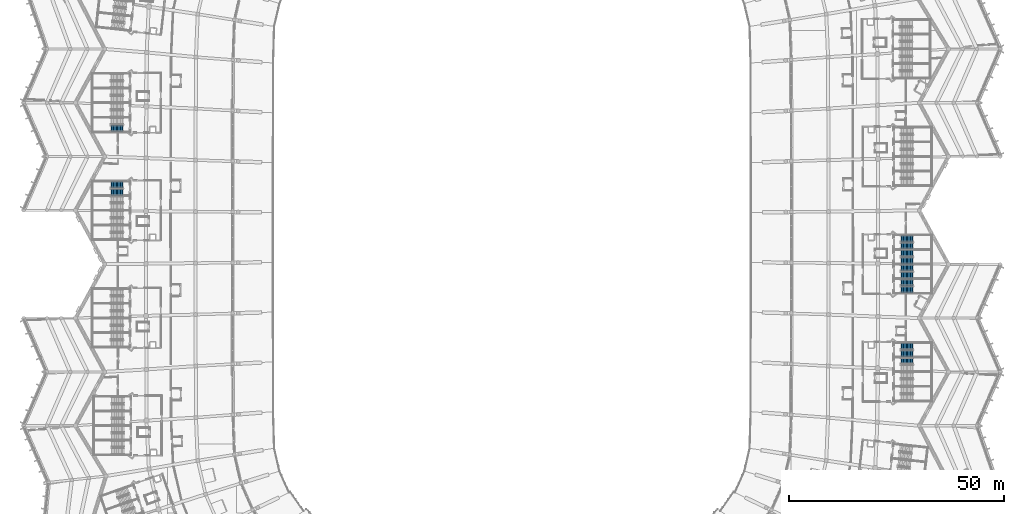
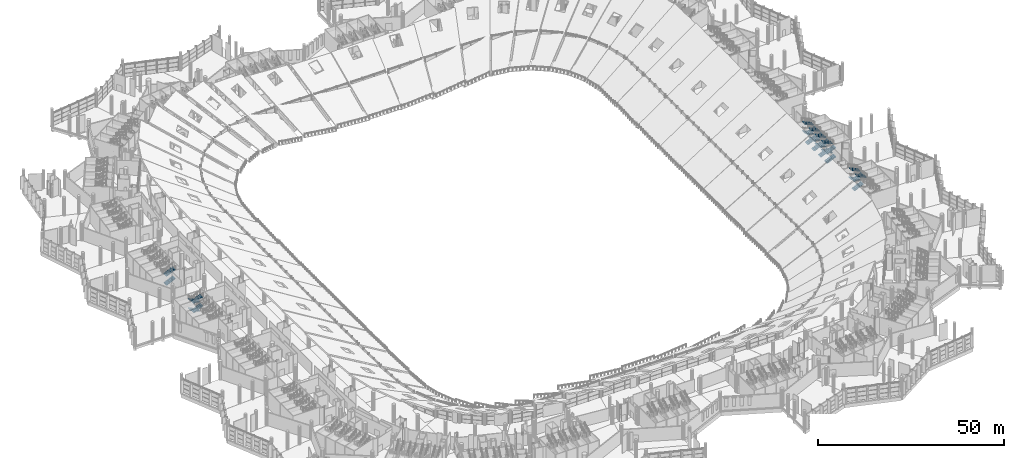
# One storey, part 190 of 249: 27 stair flights, 8 elements without a shape of their own.
"""IFC4 building model written with IfcOpenShell, lengths in metres."""

from ifc_helpers import new_model, si_unit, direction, frame, origin, place, context, subcontext, project, spatial, polyline, outline, extrude, material, type_object, element, aggregate, save


model = new_model("IFC4")

# Units and contexts
model_context = context("Model", 3, precision=1e-05, world=origin(), true_north=direction((0.0, 1.0)))
body_context = subcontext(model_context, "Body", "Model", "MODEL_VIEW")
ifc_project = project(units=[si_unit("LENGTHUNIT", "METRE"), si_unit("AREAUNIT", "SQUARE_METRE"), si_unit("VOLUMEUNIT", "CUBIC_METRE"), si_unit("PLANEANGLEUNIT", "RADIAN"), si_unit("MASSUNIT", "GRAM", prefix="KILO")], contexts=[model_context])

# Site, building, storey
site_placement = place(None, origin())
site = spatial("IfcSite", under=ifc_project, at=site_placement, CompositionType="ELEMENT")
building_placement = place(site_placement, origin())
building = spatial("IfcBuilding", under=site, at=building_placement, Name="Meseta Stadium", CompositionType="ELEMENT")
storey_placement = place(building_placement, frame((0.0, 0.0, 12.0)))
storey = spatial("IfcBuildingStorey", under=building, at=storey_placement, Name="L02", CompositionType="ELEMENT", Elevation=12.0)

# Stair, stair flight
ifc_material_1 = material(Name="Concrete C40/50", Category="concrete")
stair_type = type_object("IfcStairType", Name="Exit stair 4 flights 150 mm risers", PredefinedType="HALF_TURN_STAIR", material=ifc_material_1)
stair_1_placement = place(storey_placement, origin())
stair_1 = element("IfcStair", 1, at=stair_1_placement, inside=storey, type_object=stair_type, Name="ST7 L02", PredefinedType="HALF_TURN_STAIR")
ifc_material_2 = material(Name="Concrete C40/50", Category="concrete")
stair_flight_type = type_object("IfcStairFlightType", Name="Exit stair flight 150 mm risers, 4 per storey", PredefinedType="STRAIGHT", material=ifc_material_2)
stair_flight_1_placement = place(storey_placement, frame((93.179931640625, -28.699951171875, 4.5), z_axis=(0.0, 0.0, 1.0), x_axis=(-1.0, 0.0, 0.0)))
stair_flight_1 = element("IfcStairFlight", 2, at=stair_flight_1_placement, type_object=stair_flight_type, Name="ST7 L02 flight 4", NumberOfRisers=10, NumberOfTreads=9, PredefinedType="STRAIGHT", RiserHeight=0.15, TreadLength=0.32, context=body_context, shape_type="SweptSolid", body=[
    extrude(outline(polyline([(0.0, 0.0), (0.0, 0.14990234375), (0.320068359375, 0.14990234375), (0.320068359375, 0.300048828125), (0.639892578125, 0.300048828125), (0.639892578125, 0.449951171875), (0.9599609375, 0.449951171875), (0.9599609375, 0.60009765625), (1.280029296875, 0.60009765625), (1.280029296875, 0.75), (1.60009765625, 0.75), (1.60009765625, 0.89990234375), (1.919921875, 0.89990234375), (1.919921875, 1.050048828125), (2.239990234375, 1.050048828125), (2.239990234375, 1.199951171875), (2.56005859375, 1.199951171875), (2.56005859375, 1.35009765625), (2.8798828125, 1.35009765625), (2.8798828125, 1.184326171875), (0.353271484375, 0.0), (0.0, 0.0)])), frame((0.0, 0.75, 0.0), z_axis=(0.0, -1.0, 0.0), x_axis=(1.0, 0.0, 0.0)), (0.0, 0.0, 1.0), 1.5),
])
aggregate(stair_1, [stair_flight_1])

# Stair, stair flights
stair_2_placement = place(storey_placement, origin())
stair_2 = element("IfcStair", 3, at=stair_2_placement, inside=storey, type_object=stair_type, Name="ST8 L02", PredefinedType="HALF_TURN_STAIR")
stair_flight_2_placement = place(storey_placement, frame((90.300048828125, -27.0, 0.0), z_axis=(0.0, 0.0, 1.0), x_axis=(1.0, 0.0, 0.0)))
stair_flight_2 = element("IfcStairFlight", 4, at=stair_flight_2_placement, type_object=stair_flight_type, Name="ST8 L02 flight 1", NumberOfRisers=10, NumberOfTreads=9, PredefinedType="STRAIGHT", RiserHeight=0.15, TreadLength=0.32, context=body_context, shape_type="SweptSolid", body=[
    extrude(outline(polyline([(0.0, 0.0), (0.0, 0.14990234375), (0.320068359375, 0.14990234375), (0.320068359375, 0.300048828125), (0.639892578125, 0.300048828125), (0.639892578125, 0.449951171875), (0.9599609375, 0.449951171875), (0.9599609375, 0.60009765625), (1.280029296875, 0.60009765625), (1.280029296875, 0.75), (1.60009765625, 0.75), (1.60009765625, 0.89990234375), (1.919921875, 0.89990234375), (1.919921875, 1.050048828125), (2.239990234375, 1.050048828125), (2.239990234375, 1.199951171875), (2.56005859375, 1.199951171875), (2.56005859375, 1.35009765625), (2.8798828125, 1.35009765625), (2.8798828125, 1.184326171875), (0.353271484375, 0.0), (0.0, 0.0)])), frame((0.0, 0.75, 0.0), z_axis=(0.0, -1.0, 0.0), x_axis=(1.0, 0.0, 0.0)), (0.0, 0.0, 1.0), 1.5),
])
stair_flight_3_placement = place(storey_placement, frame((93.179931640625, -25.300048828125, 1.5), z_axis=(0.0, 0.0, 1.0), x_axis=(-1.0, 0.0, 0.0)))
stair_flight_3 = element("IfcStairFlight", 5, at=stair_flight_3_placement, type_object=stair_flight_type, Name="ST8 L02 flight 2", NumberOfRisers=10, NumberOfTreads=9, PredefinedType="STRAIGHT", RiserHeight=0.15, TreadLength=0.32, context=body_context, shape_type="SweptSolid", body=[
    extrude(outline(polyline([(0.0, 0.0), (0.0, 0.14990234375), (0.320068359375, 0.14990234375), (0.320068359375, 0.300048828125), (0.639892578125, 0.300048828125), (0.639892578125, 0.449951171875), (0.9599609375, 0.449951171875), (0.9599609375, 0.60009765625), (1.280029296875, 0.60009765625), (1.280029296875, 0.75), (1.60009765625, 0.75), (1.60009765625, 0.89990234375), (1.919921875, 0.89990234375), (1.919921875, 1.050048828125), (2.239990234375, 1.050048828125), (2.239990234375, 1.199951171875), (2.56005859375, 1.199951171875), (2.56005859375, 1.35009765625), (2.8798828125, 1.35009765625), (2.8798828125, 1.184326171875), (0.353271484375, 0.0), (0.0, 0.0)])), frame((0.0, 0.75, 0.0), z_axis=(0.0, -1.0, 0.0), x_axis=(1.0, 0.0, 0.0)), (0.0, 0.0, 1.0), 1.5),
])
stair_flight_4_placement = place(storey_placement, frame((90.300048828125, -27.0, 3.0), z_axis=(0.0, 0.0, 1.0), x_axis=(1.0, 0.0, 0.0)))
stair_flight_4 = element("IfcStairFlight", 6, at=stair_flight_4_placement, type_object=stair_flight_type, Name="ST8 L02 flight 3", NumberOfRisers=10, NumberOfTreads=9, PredefinedType="STRAIGHT", RiserHeight=0.15, TreadLength=0.32, context=body_context, shape_type="SweptSolid", body=[
    extrude(outline(polyline([(0.0, 0.0), (0.0, 0.14990234375), (0.320068359375, 0.14990234375), (0.320068359375, 0.300048828125), (0.639892578125, 0.300048828125), (0.639892578125, 0.449951171875), (0.9599609375, 0.449951171875), (0.9599609375, 0.60009765625), (1.280029296875, 0.60009765625), (1.280029296875, 0.75), (1.60009765625, 0.75), (1.60009765625, 0.89990234375), (1.919921875, 0.89990234375), (1.919921875, 1.050048828125), (2.239990234375, 1.050048828125), (2.239990234375, 1.199951171875), (2.56005859375, 1.199951171875), (2.56005859375, 1.35009765625), (2.8798828125, 1.35009765625), (2.8798828125, 1.184326171875), (0.353271484375, 0.0), (0.0, 0.0)])), frame((0.0, 0.75, 0.0), z_axis=(0.0, -1.0, 0.0), x_axis=(1.0, 0.0, 0.0)), (0.0, 0.0, 1.0), 1.5),
])
stair_flight_5_placement = place(storey_placement, frame((93.179931640625, -25.300048828125, 4.5), z_axis=(0.0, 0.0, 1.0), x_axis=(-1.0, 0.0, 0.0)))
stair_flight_5 = element("IfcStairFlight", 7, at=stair_flight_5_placement, type_object=stair_flight_type, Name="ST8 L02 flight 4", NumberOfRisers=10, NumberOfTreads=9, PredefinedType="STRAIGHT", RiserHeight=0.15, TreadLength=0.32, context=body_context, shape_type="SweptSolid", body=[
    extrude(outline(polyline([(0.0, 0.0), (0.0, 0.14990234375), (0.320068359375, 0.14990234375), (0.320068359375, 0.300048828125), (0.639892578125, 0.300048828125), (0.639892578125, 0.449951171875), (0.9599609375, 0.449951171875), (0.9599609375, 0.60009765625), (1.280029296875, 0.60009765625), (1.280029296875, 0.75), (1.60009765625, 0.75), (1.60009765625, 0.89990234375), (1.919921875, 0.89990234375), (1.919921875, 1.050048828125), (2.239990234375, 1.050048828125), (2.239990234375, 1.199951171875), (2.56005859375, 1.199951171875), (2.56005859375, 1.35009765625), (2.8798828125, 1.35009765625), (2.8798828125, 1.184326171875), (0.353271484375, 0.0), (0.0, 0.0)])), frame((0.0, 0.75, 0.0), z_axis=(0.0, -1.0, 0.0), x_axis=(1.0, 0.0, 0.0)), (0.0, 0.0, 1.0), 1.5),
])
aggregate(stair_2, [stair_flight_2, stair_flight_3, stair_flight_4, stair_flight_5])

stair_3_placement = place(storey_placement, origin())
stair_3 = element("IfcStair", 8, at=stair_3_placement, inside=storey, type_object=stair_type, Name="ST9 L02", PredefinedType="HALF_TURN_STAIR")
stair_flight_6_placement = place(storey_placement, frame((90.300048828125, -12.199951171875, 0.0), z_axis=(0.0, 0.0, 1.0), x_axis=(1.0, 0.0, 0.0)))
stair_flight_6 = element("IfcStairFlight", 9, at=stair_flight_6_placement, type_object=stair_flight_type, Name="ST9 L02 flight 1", NumberOfRisers=10, NumberOfTreads=9, PredefinedType="STRAIGHT", RiserHeight=0.15, TreadLength=0.32, context=body_context, shape_type="SweptSolid", body=[
    extrude(outline(polyline([(0.0, 0.0), (0.0, 0.14990234375), (0.320068359375, 0.14990234375), (0.320068359375, 0.300048828125), (0.639892578125, 0.300048828125), (0.639892578125, 0.449951171875), (0.9599609375, 0.449951171875), (0.9599609375, 0.60009765625), (1.280029296875, 0.60009765625), (1.280029296875, 0.75), (1.60009765625, 0.75), (1.60009765625, 0.89990234375), (1.919921875, 0.89990234375), (1.919921875, 1.050048828125), (2.239990234375, 1.050048828125), (2.239990234375, 1.199951171875), (2.56005859375, 1.199951171875), (2.56005859375, 1.35009765625), (2.8798828125, 1.35009765625), (2.8798828125, 1.184326171875), (0.353271484375, 0.0), (0.0, 0.0)])), frame((0.0, 0.75, 0.0), z_axis=(0.0, -1.0, 0.0), x_axis=(1.0, 0.0, 0.0)), (0.0, 0.0, 1.0), 1.5),
])
stair_flight_7_placement = place(storey_placement, frame((93.179931640625, -10.5, 1.5), z_axis=(0.0, 0.0, 1.0), x_axis=(-1.0, 0.0, 0.0)))
stair_flight_7 = element("IfcStairFlight", 10, at=stair_flight_7_placement, type_object=stair_flight_type, Name="ST9 L02 flight 2", NumberOfRisers=10, NumberOfTreads=9, PredefinedType="STRAIGHT", RiserHeight=0.15, TreadLength=0.32, context=body_context, shape_type="SweptSolid", body=[
    extrude(outline(polyline([(0.0, 0.0), (0.0, 0.14990234375), (0.320068359375, 0.14990234375), (0.320068359375, 0.300048828125), (0.639892578125, 0.300048828125), (0.639892578125, 0.449951171875), (0.9599609375, 0.449951171875), (0.9599609375, 0.60009765625), (1.280029296875, 0.60009765625), (1.280029296875, 0.75), (1.60009765625, 0.75), (1.60009765625, 0.89990234375), (1.919921875, 0.89990234375), (1.919921875, 1.050048828125), (2.239990234375, 1.050048828125), (2.239990234375, 1.199951171875), (2.56005859375, 1.199951171875), (2.56005859375, 1.35009765625), (2.8798828125, 1.35009765625), (2.8798828125, 1.184326171875), (0.353271484375, 0.0), (0.0, 0.0)])), frame((0.0, 0.75, 0.0), z_axis=(0.0, -1.0, 0.0), x_axis=(1.0, 0.0, 0.0)), (0.0, 0.0, 1.0), 1.5),
])
stair_flight_8_placement = place(storey_placement, frame((90.300048828125, -12.199951171875, 3.0), z_axis=(0.0, 0.0, 1.0), x_axis=(1.0, 0.0, 0.0)))
stair_flight_8 = element("IfcStairFlight", 11, at=stair_flight_8_placement, type_object=stair_flight_type, Name="ST9 L02 flight 3", NumberOfRisers=10, NumberOfTreads=9, PredefinedType="STRAIGHT", RiserHeight=0.15, TreadLength=0.32, context=body_context, shape_type="SweptSolid", body=[
    extrude(outline(polyline([(0.0, 0.0), (0.0, 0.14990234375), (0.320068359375, 0.14990234375), (0.320068359375, 0.300048828125), (0.639892578125, 0.300048828125), (0.639892578125, 0.449951171875), (0.9599609375, 0.449951171875), (0.9599609375, 0.60009765625), (1.280029296875, 0.60009765625), (1.280029296875, 0.75), (1.60009765625, 0.75), (1.60009765625, 0.89990234375), (1.919921875, 0.89990234375), (1.919921875, 1.050048828125), (2.239990234375, 1.050048828125), (2.239990234375, 1.199951171875), (2.56005859375, 1.199951171875), (2.56005859375, 1.35009765625), (2.8798828125, 1.35009765625), (2.8798828125, 1.184326171875), (0.353271484375, 0.0), (0.0, 0.0)])), frame((0.0, 0.75, 0.0), z_axis=(0.0, -1.0, 0.0), x_axis=(1.0, 0.0, 0.0)), (0.0, 0.0, 1.0), 1.5),
])
stair_flight_9_placement = place(storey_placement, frame((93.179931640625, -10.5, 4.5), z_axis=(0.0, 0.0, 1.0), x_axis=(-1.0, 0.0, 0.0)))
stair_flight_9 = element("IfcStairFlight", 12, at=stair_flight_9_placement, type_object=stair_flight_type, Name="ST9 L02 flight 4", NumberOfRisers=10, NumberOfTreads=9, PredefinedType="STRAIGHT", RiserHeight=0.15, TreadLength=0.32, context=body_context, shape_type="SweptSolid", body=[
    extrude(outline(polyline([(0.0, 0.0), (0.0, 0.14990234375), (0.320068359375, 0.14990234375), (0.320068359375, 0.300048828125), (0.639892578125, 0.300048828125), (0.639892578125, 0.449951171875), (0.9599609375, 0.449951171875), (0.9599609375, 0.60009765625), (1.280029296875, 0.60009765625), (1.280029296875, 0.75), (1.60009765625, 0.75), (1.60009765625, 0.89990234375), (1.919921875, 0.89990234375), (1.919921875, 1.050048828125), (2.239990234375, 1.050048828125), (2.239990234375, 1.199951171875), (2.56005859375, 1.199951171875), (2.56005859375, 1.35009765625), (2.8798828125, 1.35009765625), (2.8798828125, 1.184326171875), (0.353271484375, 0.0), (0.0, 0.0)])), frame((0.0, 0.75, 0.0), z_axis=(0.0, -1.0, 0.0), x_axis=(1.0, 0.0, 0.0)), (0.0, 0.0, 1.0), 1.5),
])
aggregate(stair_3, [stair_flight_6, stair_flight_7, stair_flight_8, stair_flight_9])

stair_4_placement = place(storey_placement, origin())
stair_4 = element("IfcStair", 13, at=stair_4_placement, inside=storey, type_object=stair_type, Name="ST10 L02", PredefinedType="HALF_TURN_STAIR")
stair_flight_10_placement = place(storey_placement, frame((90.300048828125, -8.800048828125, 0.0), z_axis=(0.0, 0.0, 1.0), x_axis=(1.0, 0.0, 0.0)))
stair_flight_10 = element("IfcStairFlight", 14, at=stair_flight_10_placement, type_object=stair_flight_type, Name="ST10 L02 flight 1", NumberOfRisers=10, NumberOfTreads=9, PredefinedType="STRAIGHT", RiserHeight=0.15, TreadLength=0.32, context=body_context, shape_type="SweptSolid", body=[
    extrude(outline(polyline([(0.0, 0.0), (0.0, 0.14990234375), (0.320068359375, 0.14990234375), (0.320068359375, 0.300048828125), (0.639892578125, 0.300048828125), (0.639892578125, 0.449951171875), (0.9599609375, 0.449951171875), (0.9599609375, 0.60009765625), (1.280029296875, 0.60009765625), (1.280029296875, 0.75), (1.60009765625, 0.75), (1.60009765625, 0.89990234375), (1.919921875, 0.89990234375), (1.919921875, 1.050048828125), (2.239990234375, 1.050048828125), (2.239990234375, 1.199951171875), (2.56005859375, 1.199951171875), (2.56005859375, 1.35009765625), (2.8798828125, 1.35009765625), (2.8798828125, 1.184326171875), (0.353271484375, 0.0), (0.0, 0.0)])), frame((0.0, 0.75, 0.0), z_axis=(0.0, -1.0, 0.0), x_axis=(1.0, 0.0, 0.0)), (0.0, 0.0, 1.0), 1.5),
])
stair_flight_11_placement = place(storey_placement, frame((93.179931640625, -7.10009765625, 1.5), z_axis=(0.0, 0.0, 1.0), x_axis=(-1.0, 0.0, 0.0)))
stair_flight_11 = element("IfcStairFlight", 15, at=stair_flight_11_placement, type_object=stair_flight_type, Name="ST10 L02 flight 2", NumberOfRisers=10, NumberOfTreads=9, PredefinedType="STRAIGHT", RiserHeight=0.15, TreadLength=0.32, context=body_context, shape_type="SweptSolid", body=[
    extrude(outline(polyline([(0.0, 0.0), (0.0, 0.14990234375), (0.320068359375, 0.14990234375), (0.320068359375, 0.300048828125), (0.639892578125, 0.300048828125), (0.639892578125, 0.449951171875), (0.9599609375, 0.449951171875), (0.9599609375, 0.60009765625), (1.280029296875, 0.60009765625), (1.280029296875, 0.75), (1.60009765625, 0.75), (1.60009765625, 0.89990234375), (1.919921875, 0.89990234375), (1.919921875, 1.050048828125), (2.239990234375, 1.050048828125), (2.239990234375, 1.199951171875), (2.56005859375, 1.199951171875), (2.56005859375, 1.35009765625), (2.8798828125, 1.35009765625), (2.8798828125, 1.184326171875), (0.353271484375, 0.0), (0.0, 0.0)])), frame((0.0, 0.75, 0.0), z_axis=(0.0, -1.0, 0.0), x_axis=(1.0, 0.0, 0.0)), (0.0, 0.0, 1.0), 1.5),
])
stair_flight_12_placement = place(storey_placement, frame((90.300048828125, -8.800048828125, 3.0), z_axis=(0.0, 0.0, 1.0), x_axis=(1.0, 0.0, 0.0)))
stair_flight_12 = element("IfcStairFlight", 16, at=stair_flight_12_placement, type_object=stair_flight_type, Name="ST10 L02 flight 3", NumberOfRisers=10, NumberOfTreads=9, PredefinedType="STRAIGHT", RiserHeight=0.15, TreadLength=0.32, context=body_context, shape_type="SweptSolid", body=[
    extrude(outline(polyline([(0.0, 0.0), (0.0, 0.14990234375), (0.320068359375, 0.14990234375), (0.320068359375, 0.300048828125), (0.639892578125, 0.300048828125), (0.639892578125, 0.449951171875), (0.9599609375, 0.449951171875), (0.9599609375, 0.60009765625), (1.280029296875, 0.60009765625), (1.280029296875, 0.75), (1.60009765625, 0.75), (1.60009765625, 0.89990234375), (1.919921875, 0.89990234375), (1.919921875, 1.050048828125), (2.239990234375, 1.050048828125), (2.239990234375, 1.199951171875), (2.56005859375, 1.199951171875), (2.56005859375, 1.35009765625), (2.8798828125, 1.35009765625), (2.8798828125, 1.184326171875), (0.353271484375, 0.0), (0.0, 0.0)])), frame((0.0, 0.75, 0.0), z_axis=(0.0, -1.0, 0.0), x_axis=(1.0, 0.0, 0.0)), (0.0, 0.0, 1.0), 1.5),
])
stair_flight_13_placement = place(storey_placement, frame((93.179931640625, -7.10009765625, 4.5), z_axis=(0.0, 0.0, 1.0), x_axis=(-1.0, 0.0, 0.0)))
stair_flight_13 = element("IfcStairFlight", 17, at=stair_flight_13_placement, type_object=stair_flight_type, Name="ST10 L02 flight 4", NumberOfRisers=10, NumberOfTreads=9, PredefinedType="STRAIGHT", RiserHeight=0.15, TreadLength=0.32, context=body_context, shape_type="SweptSolid", body=[
    extrude(outline(polyline([(0.0, 0.0), (0.0, 0.14990234375), (0.320068359375, 0.14990234375), (0.320068359375, 0.300048828125), (0.639892578125, 0.300048828125), (0.639892578125, 0.449951171875), (0.9599609375, 0.449951171875), (0.9599609375, 0.60009765625), (1.280029296875, 0.60009765625), (1.280029296875, 0.75), (1.60009765625, 0.75), (1.60009765625, 0.89990234375), (1.919921875, 0.89990234375), (1.919921875, 1.050048828125), (2.239990234375, 1.050048828125), (2.239990234375, 1.199951171875), (2.56005859375, 1.199951171875), (2.56005859375, 1.35009765625), (2.8798828125, 1.35009765625), (2.8798828125, 1.184326171875), (0.353271484375, 0.0), (0.0, 0.0)])), frame((0.0, 0.75, 0.0), z_axis=(0.0, -1.0, 0.0), x_axis=(1.0, 0.0, 0.0)), (0.0, 0.0, 1.0), 1.5),
])
aggregate(stair_4, [stair_flight_10, stair_flight_11, stair_flight_12, stair_flight_13])

stair_5_placement = place(storey_placement, origin())
stair_5 = element("IfcStair", 18, at=stair_5_placement, inside=storey, type_object=stair_type, Name="ST11 L02", PredefinedType="HALF_TURN_STAIR")
stair_flight_14_placement = place(storey_placement, frame((90.300048828125, -5.39990234375, 0.0), z_axis=(0.0, 0.0, 1.0), x_axis=(1.0, 0.0, 0.0)))
stair_flight_14 = element("IfcStairFlight", 19, at=stair_flight_14_placement, type_object=stair_flight_type, Name="ST11 L02 flight 1", NumberOfRisers=10, NumberOfTreads=9, PredefinedType="STRAIGHT", RiserHeight=0.15, TreadLength=0.32, context=body_context, shape_type="SweptSolid", body=[
    extrude(outline(polyline([(0.0, 0.0), (0.0, 0.14990234375), (0.320068359375, 0.14990234375), (0.320068359375, 0.300048828125), (0.639892578125, 0.300048828125), (0.639892578125, 0.449951171875), (0.9599609375, 0.449951171875), (0.9599609375, 0.60009765625), (1.280029296875, 0.60009765625), (1.280029296875, 0.75), (1.60009765625, 0.75), (1.60009765625, 0.89990234375), (1.919921875, 0.89990234375), (1.919921875, 1.050048828125), (2.239990234375, 1.050048828125), (2.239990234375, 1.199951171875), (2.56005859375, 1.199951171875), (2.56005859375, 1.35009765625), (2.8798828125, 1.35009765625), (2.8798828125, 1.184326171875), (0.353271484375, 0.0), (0.0, 0.0)])), frame((0.0, 0.75, 0.0), z_axis=(0.0, -1.0, 0.0), x_axis=(1.0, 0.0, 0.0)), (0.0, 0.0, 1.0), 1.5),
])
stair_flight_15_placement = place(storey_placement, frame((93.179931640625, -3.699951171875, 1.5), z_axis=(0.0, 0.0, 1.0), x_axis=(-1.0, 0.0, 0.0)))
stair_flight_15 = element("IfcStairFlight", 20, at=stair_flight_15_placement, type_object=stair_flight_type, Name="ST11 L02 flight 2", NumberOfRisers=10, NumberOfTreads=9, PredefinedType="STRAIGHT", RiserHeight=0.15, TreadLength=0.32, context=body_context, shape_type="SweptSolid", body=[
    extrude(outline(polyline([(0.0, 0.0), (0.0, 0.14990234375), (0.320068359375, 0.14990234375), (0.320068359375, 0.300048828125), (0.639892578125, 0.300048828125), (0.639892578125, 0.449951171875), (0.9599609375, 0.449951171875), (0.9599609375, 0.60009765625), (1.280029296875, 0.60009765625), (1.280029296875, 0.75), (1.60009765625, 0.75), (1.60009765625, 0.89990234375), (1.919921875, 0.89990234375), (1.919921875, 1.050048828125), (2.239990234375, 1.050048828125), (2.239990234375, 1.199951171875), (2.56005859375, 1.199951171875), (2.56005859375, 1.35009765625), (2.8798828125, 1.35009765625), (2.8798828125, 1.184326171875), (0.353271484375, 0.0), (0.0, 0.0)])), frame((0.0, 0.75, 0.0), z_axis=(0.0, -1.0, 0.0), x_axis=(1.0, 0.0, 0.0)), (0.0, 0.0, 1.0), 1.5),
])
stair_flight_16_placement = place(storey_placement, frame((90.300048828125, -5.39990234375, 3.0), z_axis=(0.0, 0.0, 1.0), x_axis=(1.0, 0.0, 0.0)))
stair_flight_16 = element("IfcStairFlight", 21, at=stair_flight_16_placement, type_object=stair_flight_type, Name="ST11 L02 flight 3", NumberOfRisers=10, NumberOfTreads=9, PredefinedType="STRAIGHT", RiserHeight=0.15, TreadLength=0.32, context=body_context, shape_type="SweptSolid", body=[
    extrude(outline(polyline([(0.0, 0.0), (0.0, 0.14990234375), (0.320068359375, 0.14990234375), (0.320068359375, 0.300048828125), (0.639892578125, 0.300048828125), (0.639892578125, 0.449951171875), (0.9599609375, 0.449951171875), (0.9599609375, 0.60009765625), (1.280029296875, 0.60009765625), (1.280029296875, 0.75), (1.60009765625, 0.75), (1.60009765625, 0.89990234375), (1.919921875, 0.89990234375), (1.919921875, 1.050048828125), (2.239990234375, 1.050048828125), (2.239990234375, 1.199951171875), (2.56005859375, 1.199951171875), (2.56005859375, 1.35009765625), (2.8798828125, 1.35009765625), (2.8798828125, 1.184326171875), (0.353271484375, 0.0), (0.0, 0.0)])), frame((0.0, 0.75, 0.0), z_axis=(0.0, -1.0, 0.0), x_axis=(1.0, 0.0, 0.0)), (0.0, 0.0, 1.0), 1.5),
])
stair_flight_17_placement = place(storey_placement, frame((93.179931640625, -3.699951171875, 4.5), z_axis=(0.0, 0.0, 1.0), x_axis=(-1.0, 0.0, 0.0)))
stair_flight_17 = element("IfcStairFlight", 22, at=stair_flight_17_placement, type_object=stair_flight_type, Name="ST11 L02 flight 4", NumberOfRisers=10, NumberOfTreads=9, PredefinedType="STRAIGHT", RiserHeight=0.15, TreadLength=0.32, context=body_context, shape_type="SweptSolid", body=[
    extrude(outline(polyline([(0.0, 0.0), (0.0, 0.14990234375), (0.320068359375, 0.14990234375), (0.320068359375, 0.300048828125), (0.639892578125, 0.300048828125), (0.639892578125, 0.449951171875), (0.9599609375, 0.449951171875), (0.9599609375, 0.60009765625), (1.280029296875, 0.60009765625), (1.280029296875, 0.75), (1.60009765625, 0.75), (1.60009765625, 0.89990234375), (1.919921875, 0.89990234375), (1.919921875, 1.050048828125), (2.239990234375, 1.050048828125), (2.239990234375, 1.199951171875), (2.56005859375, 1.199951171875), (2.56005859375, 1.35009765625), (2.8798828125, 1.35009765625), (2.8798828125, 1.184326171875), (0.353271484375, 0.0), (0.0, 0.0)])), frame((0.0, 0.75, 0.0), z_axis=(0.0, -1.0, 0.0), x_axis=(1.0, 0.0, 0.0)), (0.0, 0.0, 1.0), 1.5),
])
aggregate(stair_5, [stair_flight_14, stair_flight_15, stair_flight_16, stair_flight_17])

stair_6_placement = place(storey_placement, origin())
stair_6 = element("IfcStair", 23, at=stair_6_placement, inside=storey, type_object=stair_type, Name="ST12 L02", PredefinedType="HALF_TURN_STAIR")
stair_flight_18_placement = place(storey_placement, frame((90.300048828125, -2.0, 0.0), z_axis=(0.0, 0.0, 1.0), x_axis=(1.0, 0.0, 0.0)))
stair_flight_18 = element("IfcStairFlight", 24, at=stair_flight_18_placement, type_object=stair_flight_type, Name="ST12 L02 flight 1", NumberOfRisers=10, NumberOfTreads=9, PredefinedType="STRAIGHT", RiserHeight=0.15, TreadLength=0.32, context=body_context, shape_type="SweptSolid", body=[
    extrude(outline(polyline([(0.0, 0.0), (0.0, 0.14990234375), (0.320068359375, 0.14990234375), (0.320068359375, 0.300048828125), (0.639892578125, 0.300048828125), (0.639892578125, 0.449951171875), (0.9599609375, 0.449951171875), (0.9599609375, 0.60009765625), (1.280029296875, 0.60009765625), (1.280029296875, 0.75), (1.60009765625, 0.75), (1.60009765625, 0.89990234375), (1.919921875, 0.89990234375), (1.919921875, 1.050048828125), (2.239990234375, 1.050048828125), (2.239990234375, 1.199951171875), (2.56005859375, 1.199951171875), (2.56005859375, 1.35009765625), (2.8798828125, 1.35009765625), (2.8798828125, 1.184326171875), (0.353271484375, 0.0), (0.0, 0.0)])), frame((0.0, 0.75, 0.0), z_axis=(0.0, -1.0, 0.0), x_axis=(1.0, 0.0, 0.0)), (0.0, 0.0, 1.0), 1.5),
])
stair_flight_19_placement = place(storey_placement, frame((93.179931640625, -0.300048828125, 1.5), z_axis=(0.0, 0.0, 1.0), x_axis=(-1.0, 0.0, 0.0)))
stair_flight_19 = element("IfcStairFlight", 25, at=stair_flight_19_placement, type_object=stair_flight_type, Name="ST12 L02 flight 2", NumberOfRisers=10, NumberOfTreads=9, PredefinedType="STRAIGHT", RiserHeight=0.15, TreadLength=0.32, context=body_context, shape_type="SweptSolid", body=[
    extrude(outline(polyline([(0.0, 0.0), (0.0, 0.14990234375), (0.320068359375, 0.14990234375), (0.320068359375, 0.300048828125), (0.639892578125, 0.300048828125), (0.639892578125, 0.449951171875), (0.9599609375, 0.449951171875), (0.9599609375, 0.60009765625), (1.280029296875, 0.60009765625), (1.280029296875, 0.75), (1.60009765625, 0.75), (1.60009765625, 0.89990234375), (1.919921875, 0.89990234375), (1.919921875, 1.050048828125), (2.239990234375, 1.050048828125), (2.239990234375, 1.199951171875), (2.56005859375, 1.199951171875), (2.56005859375, 1.35009765625), (2.8798828125, 1.35009765625), (2.8798828125, 1.184326171875), (0.353271484375, 0.0), (0.0, 0.0)])), frame((0.0, 0.75, 0.0), z_axis=(0.0, -1.0, 0.0), x_axis=(1.0, 0.0, 0.0)), (0.0, 0.0, 1.0), 1.5),
])
stair_flight_20_placement = place(storey_placement, frame((90.300048828125, -2.0, 3.0), z_axis=(0.0, 0.0, 1.0), x_axis=(1.0, 0.0, 0.0)))
stair_flight_20 = element("IfcStairFlight", 26, at=stair_flight_20_placement, type_object=stair_flight_type, Name="ST12 L02 flight 3", NumberOfRisers=10, NumberOfTreads=9, PredefinedType="STRAIGHT", RiserHeight=0.15, TreadLength=0.32, context=body_context, shape_type="SweptSolid", body=[
    extrude(outline(polyline([(0.0, 0.0), (0.0, 0.14990234375), (0.320068359375, 0.14990234375), (0.320068359375, 0.300048828125), (0.639892578125, 0.300048828125), (0.639892578125, 0.449951171875), (0.9599609375, 0.449951171875), (0.9599609375, 0.60009765625), (1.280029296875, 0.60009765625), (1.280029296875, 0.75), (1.60009765625, 0.75), (1.60009765625, 0.89990234375), (1.919921875, 0.89990234375), (1.919921875, 1.050048828125), (2.239990234375, 1.050048828125), (2.239990234375, 1.199951171875), (2.56005859375, 1.199951171875), (2.56005859375, 1.35009765625), (2.8798828125, 1.35009765625), (2.8798828125, 1.184326171875), (0.353271484375, 0.0), (0.0, 0.0)])), frame((0.0, 0.75, 0.0), z_axis=(0.0, -1.0, 0.0), x_axis=(1.0, 0.0, 0.0)), (0.0, 0.0, 1.0), 1.5),
])
stair_flight_21_placement = place(storey_placement, frame((93.179931640625, -0.300048828125, 4.5), z_axis=(0.0, 0.0, 1.0), x_axis=(-1.0, 0.0, 0.0)))
stair_flight_21 = element("IfcStairFlight", 27, at=stair_flight_21_placement, type_object=stair_flight_type, Name="ST12 L02 flight 4", NumberOfRisers=10, NumberOfTreads=9, PredefinedType="STRAIGHT", RiserHeight=0.15, TreadLength=0.32, context=body_context, shape_type="SweptSolid", body=[
    extrude(outline(polyline([(0.0, 0.0), (0.0, 0.14990234375), (0.320068359375, 0.14990234375), (0.320068359375, 0.300048828125), (0.639892578125, 0.300048828125), (0.639892578125, 0.449951171875), (0.9599609375, 0.449951171875), (0.9599609375, 0.60009765625), (1.280029296875, 0.60009765625), (1.280029296875, 0.75), (1.60009765625, 0.75), (1.60009765625, 0.89990234375), (1.919921875, 0.89990234375), (1.919921875, 1.050048828125), (2.239990234375, 1.050048828125), (2.239990234375, 1.199951171875), (2.56005859375, 1.199951171875), (2.56005859375, 1.35009765625), (2.8798828125, 1.35009765625), (2.8798828125, 1.184326171875), (0.353271484375, 0.0), (0.0, 0.0)])), frame((0.0, 0.75, 0.0), z_axis=(0.0, -1.0, 0.0), x_axis=(1.0, 0.0, 0.0)), (0.0, 0.0, 1.0), 1.5),
])
aggregate(stair_6, [stair_flight_18, stair_flight_19, stair_flight_20, stair_flight_21])

stair_7_placement = place(storey_placement, origin())
stair_7 = element("IfcStair", 28, at=stair_7_placement, inside=storey, type_object=stair_type, Name="ST64 L02", PredefinedType="HALF_TURN_STAIR")
stair_flight_22_placement = place(storey_placement, frame((-93.179931640625, 25.300048828125, 1.5), z_axis=(0.0, 0.0, 1.0), x_axis=(1.0, 0.0, 0.0)))
stair_flight_22 = element("IfcStairFlight", 29, at=stair_flight_22_placement, type_object=stair_flight_type, Name="ST64 L02 flight 2", NumberOfRisers=10, NumberOfTreads=9, PredefinedType="STRAIGHT", RiserHeight=0.15, TreadLength=0.32, context=body_context, shape_type="SweptSolid", body=[
    extrude(outline(polyline([(0.0, 0.0), (0.0, 0.14990234375), (0.320068359375, 0.14990234375), (0.320068359375, 0.300048828125), (0.639892578125, 0.300048828125), (0.639892578125, 0.449951171875), (0.9599609375, 0.449951171875), (0.9599609375, 0.60009765625), (1.280029296875, 0.60009765625), (1.280029296875, 0.75), (1.60009765625, 0.75), (1.60009765625, 0.89990234375), (1.919921875, 0.89990234375), (1.919921875, 1.050048828125), (2.239990234375, 1.050048828125), (2.239990234375, 1.199951171875), (2.56005859375, 1.199951171875), (2.56005859375, 1.35009765625), (2.8798828125, 1.35009765625), (2.8798828125, 1.184326171875), (0.353271484375, 0.0), (0.0, 0.0)])), frame((0.0, 0.75, 0.0), z_axis=(0.0, -1.0, 0.0), x_axis=(1.0, 0.0, 0.0)), (0.0, 0.0, 1.0), 1.5),
])
stair_flight_23_placement = place(storey_placement, frame((-93.179931640625, 25.300048828125, 4.5), z_axis=(0.0, 0.0, 1.0), x_axis=(1.0, 0.0, 0.0)))
stair_flight_23 = element("IfcStairFlight", 30, at=stair_flight_23_placement, type_object=stair_flight_type, Name="ST64 L02 flight 4", NumberOfRisers=10, NumberOfTreads=9, PredefinedType="STRAIGHT", RiserHeight=0.15, TreadLength=0.32, context=body_context, shape_type="SweptSolid", body=[
    extrude(outline(polyline([(0.0, 0.0), (0.0, 0.14990234375), (0.320068359375, 0.14990234375), (0.320068359375, 0.300048828125), (0.639892578125, 0.300048828125), (0.639892578125, 0.449951171875), (0.9599609375, 0.449951171875), (0.9599609375, 0.60009765625), (1.280029296875, 0.60009765625), (1.280029296875, 0.75), (1.60009765625, 0.75), (1.60009765625, 0.89990234375), (1.919921875, 0.89990234375), (1.919921875, 1.050048828125), (2.239990234375, 1.050048828125), (2.239990234375, 1.199951171875), (2.56005859375, 1.199951171875), (2.56005859375, 1.35009765625), (2.8798828125, 1.35009765625), (2.8798828125, 1.184326171875), (0.353271484375, 0.0), (0.0, 0.0)])), frame((0.0, 0.75, 0.0), z_axis=(0.0, -1.0, 0.0), x_axis=(1.0, 0.0, 0.0)), (0.0, 0.0, 1.0), 1.5),
])
aggregate(stair_7, [stair_flight_22, stair_flight_23])

stair_8_placement = place(storey_placement, origin())
stair_8 = element("IfcStair", 31, at=stair_8_placement, inside=storey, type_object=stair_type, Name="ST65 L02", PredefinedType="HALF_TURN_STAIR")
stair_flight_24_placement = place(storey_placement, frame((-90.300048828125, 12.199951171875, 0.0), z_axis=(0.0, 0.0, 1.0), x_axis=(-1.0, 0.0, 0.0)))
stair_flight_24 = element("IfcStairFlight", 32, at=stair_flight_24_placement, type_object=stair_flight_type, Name="ST65 L02 flight 1", NumberOfRisers=10, NumberOfTreads=9, PredefinedType="STRAIGHT", RiserHeight=0.15, TreadLength=0.32, context=body_context, shape_type="SweptSolid", body=[
    extrude(outline(polyline([(0.0, 0.0), (0.0, 0.14990234375), (0.320068359375, 0.14990234375), (0.320068359375, 0.300048828125), (0.639892578125, 0.300048828125), (0.639892578125, 0.449951171875), (0.9599609375, 0.449951171875), (0.9599609375, 0.60009765625), (1.280029296875, 0.60009765625), (1.280029296875, 0.75), (1.60009765625, 0.75), (1.60009765625, 0.89990234375), (1.919921875, 0.89990234375), (1.919921875, 1.050048828125), (2.239990234375, 1.050048828125), (2.239990234375, 1.199951171875), (2.56005859375, 1.199951171875), (2.56005859375, 1.35009765625), (2.8798828125, 1.35009765625), (2.8798828125, 1.184326171875), (0.353271484375, 0.0), (0.0, 0.0)])), frame((0.0, 0.75, 0.0), z_axis=(0.0, -1.0, 0.0), x_axis=(1.0, 0.0, 0.0)), (0.0, 0.0, 1.0), 1.5),
])
stair_flight_25_placement = place(storey_placement, frame((-93.179931640625, 10.5, 1.5), z_axis=(0.0, 0.0, 1.0), x_axis=(1.0, 0.0, 0.0)))
stair_flight_25 = element("IfcStairFlight", 33, at=stair_flight_25_placement, type_object=stair_flight_type, Name="ST65 L02 flight 2", NumberOfRisers=10, NumberOfTreads=9, PredefinedType="STRAIGHT", RiserHeight=0.15, TreadLength=0.32, context=body_context, shape_type="SweptSolid", body=[
    extrude(outline(polyline([(0.0, 0.0), (0.0, 0.14990234375), (0.320068359375, 0.14990234375), (0.320068359375, 0.300048828125), (0.639892578125, 0.300048828125), (0.639892578125, 0.449951171875), (0.9599609375, 0.449951171875), (0.9599609375, 0.60009765625), (1.280029296875, 0.60009765625), (1.280029296875, 0.75), (1.60009765625, 0.75), (1.60009765625, 0.89990234375), (1.919921875, 0.89990234375), (1.919921875, 1.050048828125), (2.239990234375, 1.050048828125), (2.239990234375, 1.199951171875), (2.56005859375, 1.199951171875), (2.56005859375, 1.35009765625), (2.8798828125, 1.35009765625), (2.8798828125, 1.184326171875), (0.353271484375, 0.0), (0.0, 0.0)])), frame((0.0, 0.75, 0.0), z_axis=(0.0, -1.0, 0.0), x_axis=(1.0, 0.0, 0.0)), (0.0, 0.0, 1.0), 1.5),
])
stair_flight_26_placement = place(storey_placement, frame((-90.300048828125, 12.199951171875, 3.0), z_axis=(0.0, 0.0, 1.0), x_axis=(-1.0, 0.0, 0.0)))
stair_flight_26 = element("IfcStairFlight", 34, at=stair_flight_26_placement, type_object=stair_flight_type, Name="ST65 L02 flight 3", NumberOfRisers=10, NumberOfTreads=9, PredefinedType="STRAIGHT", RiserHeight=0.15, TreadLength=0.32, context=body_context, shape_type="SweptSolid", body=[
    extrude(outline(polyline([(0.0, 0.0), (0.0, 0.14990234375), (0.320068359375, 0.14990234375), (0.320068359375, 0.300048828125), (0.639892578125, 0.300048828125), (0.639892578125, 0.449951171875), (0.9599609375, 0.449951171875), (0.9599609375, 0.60009765625), (1.280029296875, 0.60009765625), (1.280029296875, 0.75), (1.60009765625, 0.75), (1.60009765625, 0.89990234375), (1.919921875, 0.89990234375), (1.919921875, 1.050048828125), (2.239990234375, 1.050048828125), (2.239990234375, 1.199951171875), (2.56005859375, 1.199951171875), (2.56005859375, 1.35009765625), (2.8798828125, 1.35009765625), (2.8798828125, 1.184326171875), (0.353271484375, 0.0), (0.0, 0.0)])), frame((0.0, 0.75, 0.0), z_axis=(0.0, -1.0, 0.0), x_axis=(1.0, 0.0, 0.0)), (0.0, 0.0, 1.0), 1.5),
])
stair_flight_27_placement = place(storey_placement, frame((-93.179931640625, 10.5, 4.5), z_axis=(0.0, 0.0, 1.0), x_axis=(1.0, 0.0, 0.0)))
stair_flight_27 = element("IfcStairFlight", 35, at=stair_flight_27_placement, type_object=stair_flight_type, Name="ST65 L02 flight 4", NumberOfRisers=10, NumberOfTreads=9, PredefinedType="STRAIGHT", RiserHeight=0.15, TreadLength=0.32, context=body_context, shape_type="SweptSolid", body=[
    extrude(outline(polyline([(0.0, 0.0), (0.0, 0.14990234375), (0.320068359375, 0.14990234375), (0.320068359375, 0.300048828125), (0.639892578125, 0.300048828125), (0.639892578125, 0.449951171875), (0.9599609375, 0.449951171875), (0.9599609375, 0.60009765625), (1.280029296875, 0.60009765625), (1.280029296875, 0.75), (1.60009765625, 0.75), (1.60009765625, 0.89990234375), (1.919921875, 0.89990234375), (1.919921875, 1.050048828125), (2.239990234375, 1.050048828125), (2.239990234375, 1.199951171875), (2.56005859375, 1.199951171875), (2.56005859375, 1.35009765625), (2.8798828125, 1.35009765625), (2.8798828125, 1.184326171875), (0.353271484375, 0.0), (0.0, 0.0)])), frame((0.0, 0.75, 0.0), z_axis=(0.0, -1.0, 0.0), x_axis=(1.0, 0.0, 0.0)), (0.0, 0.0, 1.0), 1.5),
])
aggregate(stair_8, [stair_flight_24, stair_flight_25, stair_flight_26, stair_flight_27])

save(model, "model.ifc")
